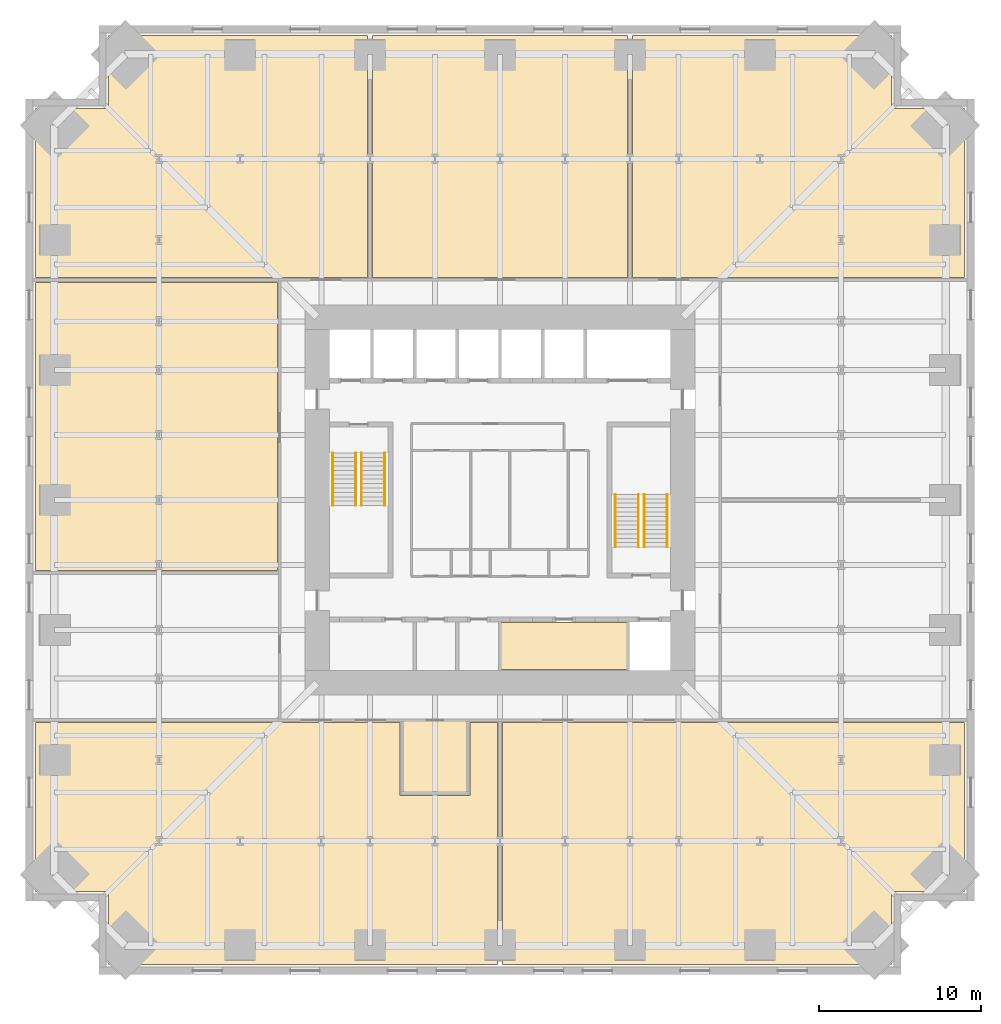
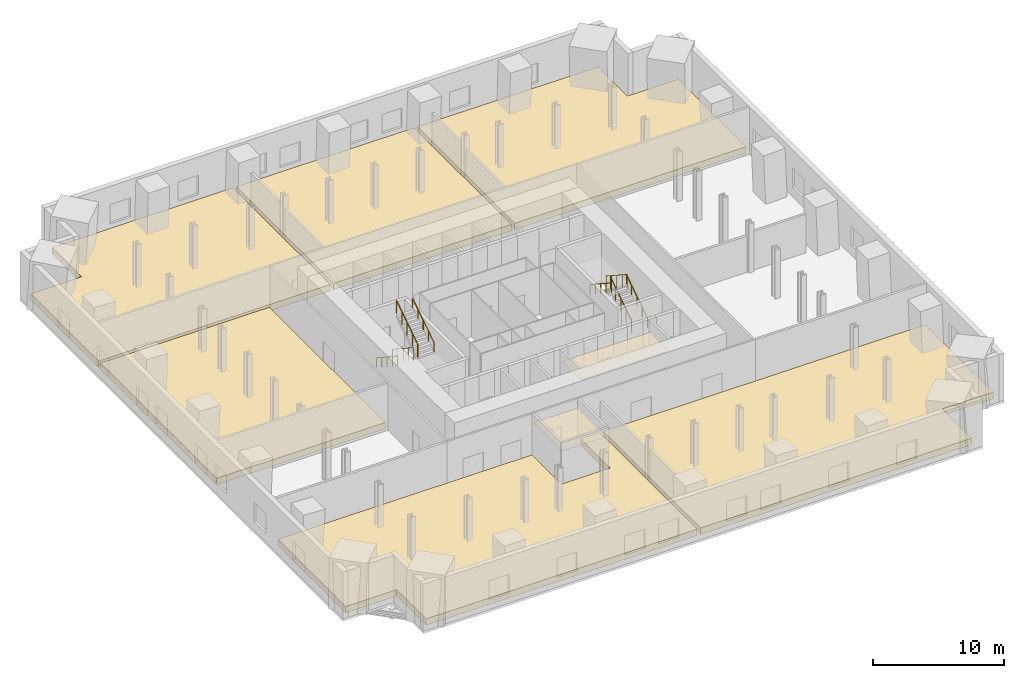
# One storey, part 8 of 8: 8 coverings, 8 railings.
"""IFC4 building model written with IfcOpenShell, lengths in metres."""

from ifc_helpers import new_model, si_unit, direction, frame, origin, origin_2d, place, context, subcontext, project, spatial, polyline, circle, outline, extrude, material, layer, layer_set, type_object, element, save


model = new_model("IFC4")

# Units and contexts
model_context = context("Model", 3, precision=1e-05, world=origin(), true_north=direction((0.0, 1.0)))
body_context = subcontext(model_context, "Body", "Model", "MODEL_VIEW")
ifc_project = project(units=[si_unit("LENGTHUNIT", "METRE"), si_unit("AREAUNIT", "SQUARE_METRE"), si_unit("VOLUMEUNIT", "CUBIC_METRE"), si_unit("PLANEANGLEUNIT", "RADIAN"), si_unit("MASSUNIT", "GRAM", prefix="KILO")], contexts=[model_context])

# Site, building, storey
site_placement = place(None, origin())
site = spatial("IfcSite", under=ifc_project, at=site_placement, CompositionType="ELEMENT")
building_placement = place(site_placement, origin())
building = spatial("IfcBuilding", under=site, at=building_placement, Name="Peilmerk Tower", CompositionType="ELEMENT")
storey_placement = place(building_placement, frame((0.0, 0.0, 86.0)))
storey = spatial("IfcBuildingStorey", under=building, at=storey_placement, Name="L16", CompositionType="ELEMENT", Elevation=86.0)

# Coverings
ifc_material_1 = material(Name="Mineral fibre ceiling tiles", Category="mineral")
ifc_layer_1 = layer(ifc_material_1, 0.02490234375)
ifc_layer_set_1 = layer_set([ifc_layer_1], Name="Mineral fibre ceiling tiles")
covering_type_1 = type_object("IfcCoveringType", Name="CL1 25 suspended ceiling", PredefinedType="CEILING", material=ifc_layer_set_1)
covering_1_placement = place(storey_placement, frame((0.0, 0.0, 3.47509765625)))
element("IfcCovering", 1, at=covering_1_placement, inside=storey, type_object=covering_type_1, Name="Suspended ceiling Operations office", PredefinedType="CEILING", context=body_context, shape_type="SweptSolid", body=[
    extrude(outline(polyline([(-2.050048828125, -18.0), (-2.050048828125, -13.60009765625), (-5.949951171875, -13.60009765625), (-5.949951171875, -18.0), (-2.050048828125, -18.0)])), origin(), (0.0, 0.0, 1.0), 0.02490234375),
])
covering_2_placement = place(storey_placement, frame((0.0, 0.0, 3.425048828125)))
element("IfcCovering", 2, at=covering_2_placement, inside=storey, type_object=covering_type_1, Name="Suspended ceiling Back-of-house office", PredefinedType="CEILING", context=body_context, shape_type="SweptSolid", body=[
    extrude(outline(polyline([(0.051025390625, -10.448974609375), (7.823974609375, -10.448974609375), (7.823974609375, -7.551025390625), (0.051025390625, -7.551025390625), (0.051025390625, -10.448974609375)])), origin(), (0.0, 0.0, 1.0), 0.02490234375),
])

# Railings
ifc_material_2 = material(Name="Steel flat bar balustrade", Category="steel")
railing_type_1 = type_object("IfcRailingType", Name="GR1 1200 stair guard", PredefinedType="GUARDRAIL", material=ifc_material_2)
railing_1_placement = place(storey_placement, frame((-8.8798828125, 2.89990234375, 0.177001953125)))
element("IfcRailing", 3, at=railing_1_placement, inside=storey, type_object=railing_type_1, Name="Guard stair 1 L16", PredefinedType="GUARDRAIL", context=body_context, shape_type="SweptSolid", body=[
    extrude(circle(Radius=0.02392578125, at=origin_2d()), frame((0.0, 0.0, 1.17578125), z_axis=(0.0, -0.836426258751, 0.548079477514), x_axis=(1.0, 0.0, 0.0)), (0.0, 0.0, 1.0), 3.87353515625),
    extrude(circle(Radius=0.02099609375, at=origin_2d()), origin(), (0.0, 0.0, 1.0), 1.15185546875),
    extrude(circle(Radius=0.02099609375, at=origin_2d()), frame((0.0, -0.81005859375, 0.53076171875)), (0.0, 0.0, 1.0), 1.15185546875),
    extrude(circle(Radius=0.02099609375, at=origin_2d()), frame((0.0, -1.6201171875, 1.0615234375)), (0.0, 0.0, 1.0), 1.15185546875),
    extrude(circle(Radius=0.02099609375, at=origin_2d()), frame((0.0, -2.429931640625, 1.59228515625)), (0.0, 0.0, 1.0), 1.15185546875),
    extrude(circle(Radius=0.02099609375, at=origin_2d()), frame((0.0, -3.239990234375, 2.123046875)), (0.0, 0.0, 1.0), 1.15185546875),
])
railing_2_placement = place(storey_placement, frame((-8.52001953125, -0.340087890625, 2.476806640625)))
element("IfcRailing", 4, at=railing_2_placement, inside=storey, type_object=railing_type_1, Name="Guard stair 1 L16", PredefinedType="GUARDRAIL", context=body_context, shape_type="SweptSolid", body=[
    extrude(circle(Radius=0.02392578125, at=origin_2d()), frame((0.0, 0.0, 1.17578125), z_axis=(0.0, 0.836397365415, 0.548123569212), x_axis=(-1.0, 0.0, 0.0)), (0.0, 0.0, 1.0), 3.873779296875),
    extrude(circle(Radius=0.02099609375, at=origin_2d()), origin(), (0.0, 0.0, 1.0), 1.15185546875),
    extrude(circle(Radius=0.02099609375, at=origin_2d()), frame((0.0, 0.81005859375, 0.53076171875)), (0.0, 0.0, 1.0), 1.15185546875),
    extrude(circle(Radius=0.02099609375, at=origin_2d()), frame((0.0, 1.6201171875, 1.0615234375)), (0.0, 0.0, 1.0), 1.15185546875),
    extrude(circle(Radius=0.02099609375, at=origin_2d()), frame((0.0, 2.429931640625, 1.592529296875)), (0.0, 0.0, 1.0), 1.15185546875),
    extrude(circle(Radius=0.02099609375, at=origin_2d()), frame((0.0, 3.239990234375, 2.123291015625)), (0.0, 0.0, 1.0), 1.15185546875),
])
railing_3_placement = place(storey_placement, frame((8.8798828125, -2.89990234375, 0.177001953125)))
element("IfcRailing", 5, at=railing_3_placement, inside=storey, type_object=railing_type_1, Name="Guard stair 2 L16", PredefinedType="GUARDRAIL", context=body_context, shape_type="SweptSolid", body=[
    extrude(circle(Radius=0.02392578125, at=origin_2d()), frame((0.0, 0.0, 1.17578125), z_axis=(0.0, 0.836426258751, 0.548079477514), x_axis=(-1.0, 0.0, 0.0)), (0.0, 0.0, 1.0), 3.87353515625),
    extrude(circle(Radius=0.02099609375, at=origin_2d()), origin(), (0.0, 0.0, 1.0), 1.15185546875),
    extrude(circle(Radius=0.02099609375, at=origin_2d()), frame((0.0, 0.81005859375, 0.53076171875)), (0.0, 0.0, 1.0), 1.15185546875),
    extrude(circle(Radius=0.02099609375, at=origin_2d()), frame((0.0, 1.6201171875, 1.0615234375)), (0.0, 0.0, 1.0), 1.15185546875),
    extrude(circle(Radius=0.02099609375, at=origin_2d()), frame((0.0, 2.429931640625, 1.59228515625)), (0.0, 0.0, 1.0), 1.15185546875),
    extrude(circle(Radius=0.02099609375, at=origin_2d()), frame((0.0, 3.239990234375, 2.123046875)), (0.0, 0.0, 1.0), 1.15185546875),
])
railing_4_placement = place(storey_placement, frame((8.52001953125, 0.340087890625, 2.476806640625)))
element("IfcRailing", 6, at=railing_4_placement, inside=storey, type_object=railing_type_1, Name="Guard stair 2 L16", PredefinedType="GUARDRAIL", context=body_context, shape_type="SweptSolid", body=[
    extrude(circle(Radius=0.02392578125, at=origin_2d()), frame((0.0, 0.0, 1.17578125), z_axis=(0.0, -0.836397365415, 0.548123569212), x_axis=(1.0, 0.0, 0.0)), (0.0, 0.0, 1.0), 3.873779296875),
    extrude(circle(Radius=0.02099609375, at=origin_2d()), origin(), (0.0, 0.0, 1.0), 1.15185546875),
    extrude(circle(Radius=0.02099609375, at=origin_2d()), frame((0.0, -0.81005859375, 0.53076171875)), (0.0, 0.0, 1.0), 1.15185546875),
    extrude(circle(Radius=0.02099609375, at=origin_2d()), frame((0.0, -1.6201171875, 1.0615234375)), (0.0, 0.0, 1.0), 1.15185546875),
    extrude(circle(Radius=0.02099609375, at=origin_2d()), frame((0.0, -2.429931640625, 1.592529296875)), (0.0, 0.0, 1.0), 1.15185546875),
    extrude(circle(Radius=0.02099609375, at=origin_2d()), frame((0.0, -3.239990234375, 2.123291015625)), (0.0, 0.0, 1.0), 1.15185546875),
])
ifc_material_3 = material(Name="Stainless steel tube", Category="steel")
railing_type_2 = type_object("IfcRailingType", Name="HR1 900 stair handrail", PredefinedType="HANDRAIL", material=ifc_material_3)
railing_5_placement = place(storey_placement, frame((-10.300048828125, 2.89990234375, 0.177001953125)))
element("IfcRailing", 7, at=railing_5_placement, inside=storey, type_object=railing_type_2, Name="Handrail stair 1 L16", PredefinedType="HANDRAIL", context=body_context, shape_type="SweptSolid", body=[
    extrude(circle(Radius=0.02392578125, at=origin_2d()), frame((0.0, 0.0, 0.8759765625), z_axis=(0.0, -0.836426258751, 0.548079477514), x_axis=(1.0, 0.0, 0.0)), (0.0, 0.0, 1.0), 3.87353515625),
    extrude(circle(Radius=0.02099609375, at=origin_2d()), origin(), (0.0, 0.0, 1.0), 0.851806640625),
    extrude(circle(Radius=0.02099609375, at=origin_2d()), frame((0.0, -0.81005859375, 0.53076171875)), (0.0, 0.0, 1.0), 0.851806640625),
    extrude(circle(Radius=0.02099609375, at=origin_2d()), frame((0.0, -1.6201171875, 1.0615234375)), (0.0, 0.0, 1.0), 0.851806640625),
    extrude(circle(Radius=0.02099609375, at=origin_2d()), frame((0.0, -2.429931640625, 1.59228515625)), (0.0, 0.0, 1.0), 0.851806640625),
    extrude(circle(Radius=0.02099609375, at=origin_2d()), frame((0.0, -3.239990234375, 2.123046875)), (0.0, 0.0, 1.0), 0.851806640625),
])
railing_6_placement = place(storey_placement, frame((-7.10009765625, -0.340087890625, 2.476806640625)))
element("IfcRailing", 8, at=railing_6_placement, inside=storey, type_object=railing_type_2, Name="Handrail stair 1 L16", PredefinedType="HANDRAIL", context=body_context, shape_type="SweptSolid", body=[
    extrude(circle(Radius=0.02392578125, at=origin_2d()), frame((0.0, 0.0, 0.8759765625), z_axis=(0.0, 0.836397365415, 0.548123569212), x_axis=(-1.0, 0.0, 0.0)), (0.0, 0.0, 1.0), 3.873779296875),
    extrude(circle(Radius=0.02099609375, at=origin_2d()), origin(), (0.0, 0.0, 1.0), 0.851806640625),
    extrude(circle(Radius=0.02099609375, at=origin_2d()), frame((0.0, 0.81005859375, 0.53076171875)), (0.0, 0.0, 1.0), 0.851806640625),
    extrude(circle(Radius=0.02099609375, at=origin_2d()), frame((0.0, 1.6201171875, 1.0615234375)), (0.0, 0.0, 1.0), 0.851806640625),
    extrude(circle(Radius=0.02099609375, at=origin_2d()), frame((0.0, 2.429931640625, 1.592529296875)), (0.0, 0.0, 1.0), 0.851806640625),
    extrude(circle(Radius=0.02099609375, at=origin_2d()), frame((0.0, 3.239990234375, 2.123291015625)), (0.0, 0.0, 1.0), 0.851806640625),
])
railing_7_placement = place(storey_placement, frame((10.300048828125, -2.89990234375, 0.177001953125)))
element("IfcRailing", 9, at=railing_7_placement, inside=storey, type_object=railing_type_2, Name="Handrail stair 2 L16", PredefinedType="HANDRAIL", context=body_context, shape_type="SweptSolid", body=[
    extrude(circle(Radius=0.02392578125, at=origin_2d()), frame((0.0, 0.0, 0.8759765625), z_axis=(0.0, 0.836426258751, 0.548079477514), x_axis=(-1.0, 0.0, 0.0)), (0.0, 0.0, 1.0), 3.87353515625),
    extrude(circle(Radius=0.02099609375, at=origin_2d()), origin(), (0.0, 0.0, 1.0), 0.851806640625),
    extrude(circle(Radius=0.02099609375, at=origin_2d()), frame((0.0, 0.81005859375, 0.53076171875)), (0.0, 0.0, 1.0), 0.851806640625),
    extrude(circle(Radius=0.02099609375, at=origin_2d()), frame((0.0, 1.6201171875, 1.0615234375)), (0.0, 0.0, 1.0), 0.851806640625),
    extrude(circle(Radius=0.02099609375, at=origin_2d()), frame((0.0, 2.429931640625, 1.59228515625)), (0.0, 0.0, 1.0), 0.851806640625),
    extrude(circle(Radius=0.02099609375, at=origin_2d()), frame((0.0, 3.239990234375, 2.123046875)), (0.0, 0.0, 1.0), 0.851806640625),
])
railing_8_placement = place(storey_placement, frame((7.10009765625, 0.340087890625, 2.476806640625)))
element("IfcRailing", 10, at=railing_8_placement, inside=storey, type_object=railing_type_2, Name="Handrail stair 2 L16", PredefinedType="HANDRAIL", context=body_context, shape_type="SweptSolid", body=[
    extrude(circle(Radius=0.02392578125, at=origin_2d()), frame((0.0, 0.0, 0.8759765625), z_axis=(0.0, -0.836397365415, 0.548123569212), x_axis=(1.0, 0.0, 0.0)), (0.0, 0.0, 1.0), 3.873779296875),
    extrude(circle(Radius=0.02099609375, at=origin_2d()), origin(), (0.0, 0.0, 1.0), 0.851806640625),
    extrude(circle(Radius=0.02099609375, at=origin_2d()), frame((0.0, -0.81005859375, 0.53076171875)), (0.0, 0.0, 1.0), 0.851806640625),
    extrude(circle(Radius=0.02099609375, at=origin_2d()), frame((0.0, -1.6201171875, 1.0615234375)), (0.0, 0.0, 1.0), 0.851806640625),
    extrude(circle(Radius=0.02099609375, at=origin_2d()), frame((0.0, -2.429931640625, 1.592529296875)), (0.0, 0.0, 1.0), 0.851806640625),
    extrude(circle(Radius=0.02099609375, at=origin_2d()), frame((0.0, -3.239990234375, 2.123291015625)), (0.0, 0.0, 1.0), 0.851806640625),
])

# Coverings
ifc_material_4 = material(Name="Steel raised access floor panels on pedestals", Category="steel")
ifc_layer_2 = layer(ifc_material_4, 0.60009765625)
ifc_layer_set_2 = layer_set([ifc_layer_2], Name="Steel raised access floor panels on pedestals")
covering_type_2 = type_object("IfcCoveringType", Name="RF1 600 raised access floor", PredefinedType="FLOORING", material=ifc_layer_set_2)
covering_3_placement = place(storey_placement, origin())
element("IfcCovering", 11, at=covering_3_placement, inside=storey, type_object=covering_type_2, Name="Raised access floor Telecom equipment room A", PredefinedType="FLOORING", context=body_context, shape_type="SweptSolid", body=[
    extrude(outline(polyline([(-28.60009765625, 24.10009765625), (-28.60009765625, 13.699951171875), (-8.14990234375, 13.699951171875), (-8.14990234375, 28.60009765625), (-24.10009765625, 28.60009765625), (-24.10009765625, 24.10009765625), (-28.60009765625, 24.10009765625)])), origin(), (0.0, 0.0, 1.0), 0.60009765625),
])
covering_4_placement = place(storey_placement, origin())
element("IfcCovering", 12, at=covering_4_placement, inside=storey, type_object=covering_type_2, Name="Raised access floor Meet-me room", PredefinedType="FLOORING", context=body_context, shape_type="SweptSolid", body=[
    extrude(outline(polyline([(7.85009765625, 28.60009765625), (-7.85009765625, 28.60009765625), (-7.85009765625, 13.699951171875), (7.85009765625, 13.699951171875), (7.85009765625, 28.60009765625)])), origin(), (0.0, 0.0, 1.0), 0.60009765625),
])
covering_5_placement = place(storey_placement, origin())
element("IfcCovering", 13, at=covering_5_placement, inside=storey, type_object=covering_type_2, Name="Raised access floor Telecom equipment room B", PredefinedType="FLOORING", context=body_context, shape_type="SweptSolid", body=[
    extrude(outline(polyline([(24.10009765625, 28.60009765625), (8.14990234375, 28.60009765625), (8.14990234375, 13.699951171875), (28.60009765625, 13.699951171875), (28.60009765625, 24.10009765625), (24.10009765625, 24.10009765625), (24.10009765625, 28.60009765625)])), origin(), (0.0, 0.0, 1.0), 0.60009765625),
])
covering_6_placement = place(storey_placement, origin())
element("IfcCovering", 14, at=covering_6_placement, inside=storey, type_object=covering_type_2, Name="Raised access floor Carrier room A", PredefinedType="FLOORING", context=body_context, shape_type="SweptSolid", body=[
    extrude(outline(polyline([(-24.10009765625, -24.10009765625), (-24.10009765625, -28.60009765625), (-0.14990234375, -28.60009765625), (-0.14990234375, -13.699951171875), (-1.85009765625, -13.699951171875), (-1.85009765625, -18.199951171875), (-6.14990234375, -18.199951171875), (-6.14990234375, -13.699951171875), (-28.60009765625, -13.699951171875), (-28.60009765625, -24.10009765625), (-24.10009765625, -24.10009765625)])), origin(), (0.0, 0.0, 1.0), 0.60009765625),
])
covering_7_placement = place(storey_placement, origin())
element("IfcCovering", 15, at=covering_7_placement, inside=storey, type_object=covering_type_2, Name="Raised access floor Carrier room B", PredefinedType="FLOORING", context=body_context, shape_type="SweptSolid", body=[
    extrude(outline(polyline([(0.14990234375, -28.60009765625), (24.10009765625, -28.60009765625), (24.10009765625, -24.10009765625), (28.60009765625, -24.10009765625), (28.60009765625, -13.699951171875), (0.14990234375, -13.699951171875), (0.14990234375, -28.60009765625)])), origin(), (0.0, 0.0, 1.0), 0.60009765625),
])
covering_8_placement = place(storey_placement, origin())
element("IfcCovering", 16, at=covering_8_placement, inside=storey, type_object=covering_type_2, Name="Raised access floor Fibre distribution room", PredefinedType="FLOORING", context=body_context, shape_type="SweptSolid", body=[
    extrude(outline(polyline([(-28.60009765625, 13.39990234375), (-28.60009765625, -4.35009765625), (-13.699951171875, -4.35009765625), (-13.699951171875, 13.39990234375), (-28.60009765625, 13.39990234375)])), origin(), (0.0, 0.0, 1.0), 0.60009765625),
])

save(model, "model.ifc")
